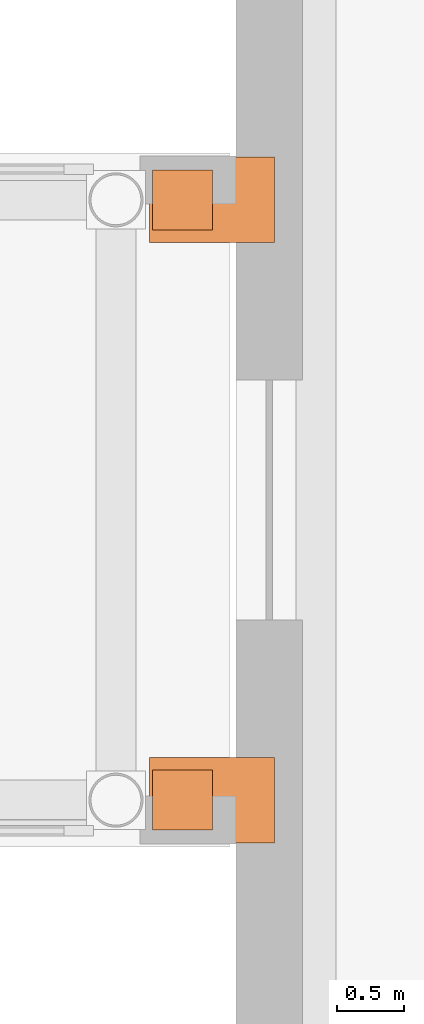
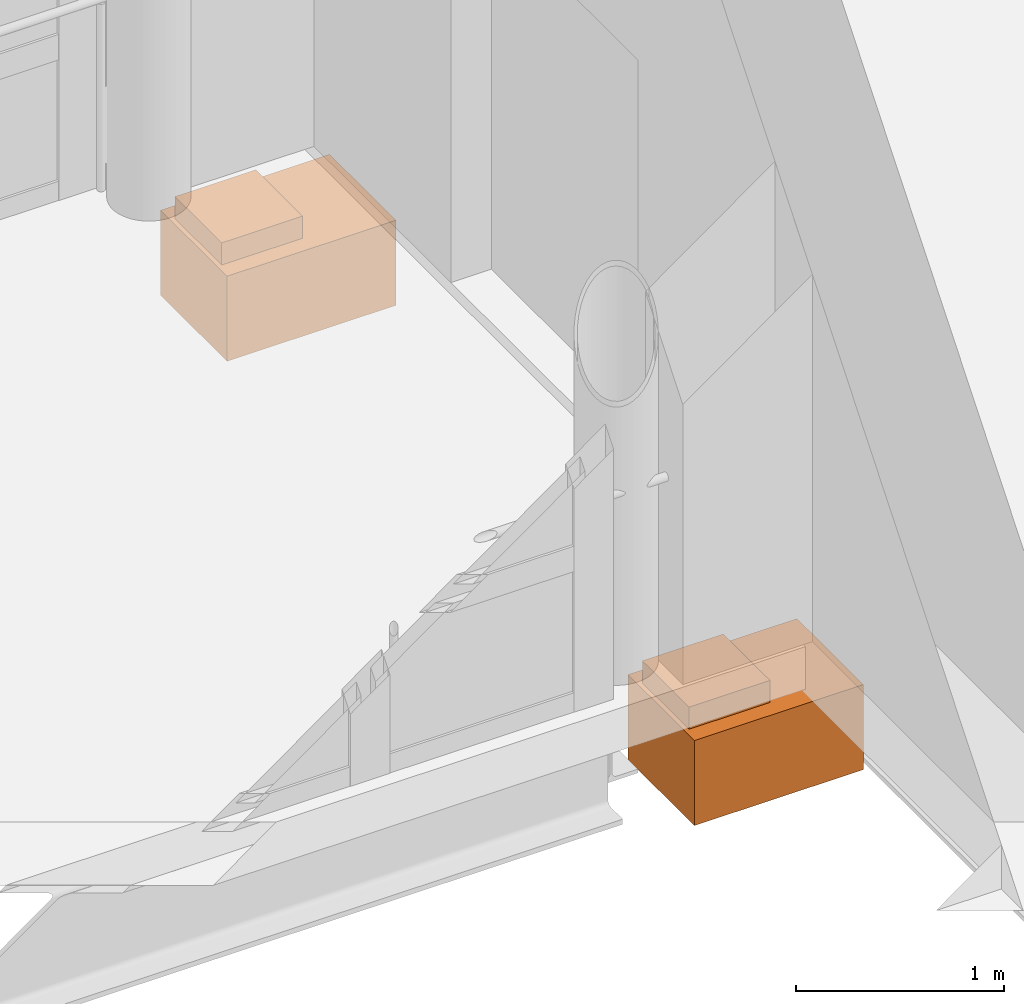
# One storey, part 75 of 75: 4 proxies.
"""IFC4 building model written with IfcOpenShell, lengths in metres."""

from ifc_helpers import new_model, si_unit, direction, frame, origin, origin_2d, place, context, subcontext, project, spatial, rectangle, extrude, element, save


model = new_model("IFC4")

# Units and contexts
model_context = context("Model", 3, precision=1e-05, world=origin(), true_north=direction((0.0, 1.0)))
body_context = subcontext(model_context, "Body", "Model", "MODEL_VIEW")
ifc_project = project(units=[si_unit("LENGTHUNIT", "METRE"), si_unit("AREAUNIT", "SQUARE_METRE"), si_unit("VOLUMEUNIT", "CUBIC_METRE"), si_unit("PLANEANGLEUNIT", "RADIAN"), si_unit("MASSUNIT", "GRAM", prefix="KILO")], contexts=[model_context])

# Site, building, storey
site_placement = place(None, origin())
site = spatial("IfcSite", under=ifc_project, at=site_placement, CompositionType="ELEMENT")
building_placement = place(site_placement, origin())
building = spatial("IfcBuilding", under=site, at=building_placement, Name="Soyqirgoq Riverine Aquarium", CompositionType="ELEMENT")
storey_placement = place(building_placement, frame((0.0, 0.0, 10.199951171875)))
storey = spatial("IfcBuildingStorey", under=building, at=storey_placement, Name="L03", CompositionType="ELEMENT", Elevation=10.199951171875)

# Proxies
proxy_1_placement = place(storey_placement, frame((121.60009765625, 77.550048828125, -0.3701171875), z_axis=(0.0, 0.0, 1.0), x_axis=(1.0, 0.0, 0.0)))
element("IfcBuildingElementProxy", 1, at=proxy_1_placement, inside=storey, Name="BR-2 East Multidirectional Free PTFE Sliding Bearing S", ObjectType="BRACKET", PredefinedType="USERDEFINED", context=body_context, shape_type="SweptSolid", body=[
    extrude(rectangle(XDim=0.449951171875, YDim=0.449951171875, at=origin_2d()), origin(), (0.0, 0.0, 1.0), 0.139892578125),
])
proxy_2_placement = place(storey_placement, frame((121.820068359375, 77.550048828125, -0.85986328125), z_axis=(0.0, 0.0, 1.0), x_axis=(1.0, 0.0, 0.0)))
element("IfcBuildingElementProxy", 2, at=proxy_2_placement, inside=storey, Name="BR-2 East 900 mm RC Bridge Corbel Seat S", ObjectType="BRACKET", PredefinedType="USERDEFINED", context=body_context, shape_type="SweptSolid", body=[
    extrude(rectangle(XDim=0.93994140625, YDim=0.639892578125, at=origin_2d()), origin(), (0.0, 0.0, 1.0), 0.5),
])
proxy_3_placement = place(storey_placement, frame((121.60009765625, 82.050048828125, -0.3701171875), z_axis=(0.0, 0.0, 1.0), x_axis=(1.0, 0.0, 0.0)))
element("IfcBuildingElementProxy", 3, at=proxy_3_placement, inside=storey, Name="BR-2 East Multidirectional Free PTFE Sliding Bearing N", ObjectType="BRACKET", PredefinedType="USERDEFINED", context=body_context, shape_type="SweptSolid", body=[
    extrude(rectangle(XDim=0.449951171875, YDim=0.449951171875, at=origin_2d()), origin(), (0.0, 0.0, 1.0), 0.139892578125),
])
proxy_4_placement = place(storey_placement, frame((121.820068359375, 82.050048828125, -0.85986328125), z_axis=(0.0, 0.0, 1.0), x_axis=(1.0, 0.0, 0.0)))
element("IfcBuildingElementProxy", 4, at=proxy_4_placement, inside=storey, Name="BR-2 East 900 mm RC Bridge Corbel Seat N", ObjectType="BRACKET", PredefinedType="USERDEFINED", context=body_context, shape_type="SweptSolid", body=[
    extrude(rectangle(XDim=0.93994140625, YDim=0.639892578125, at=origin_2d()), origin(), (0.0, 0.0, 1.0), 0.5),
])

save(model, "model.ifc")
